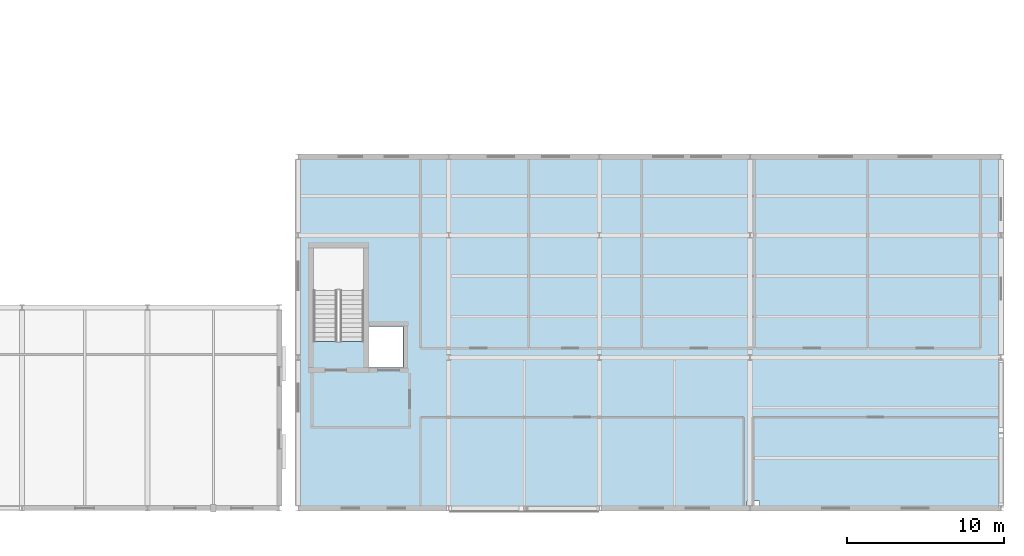
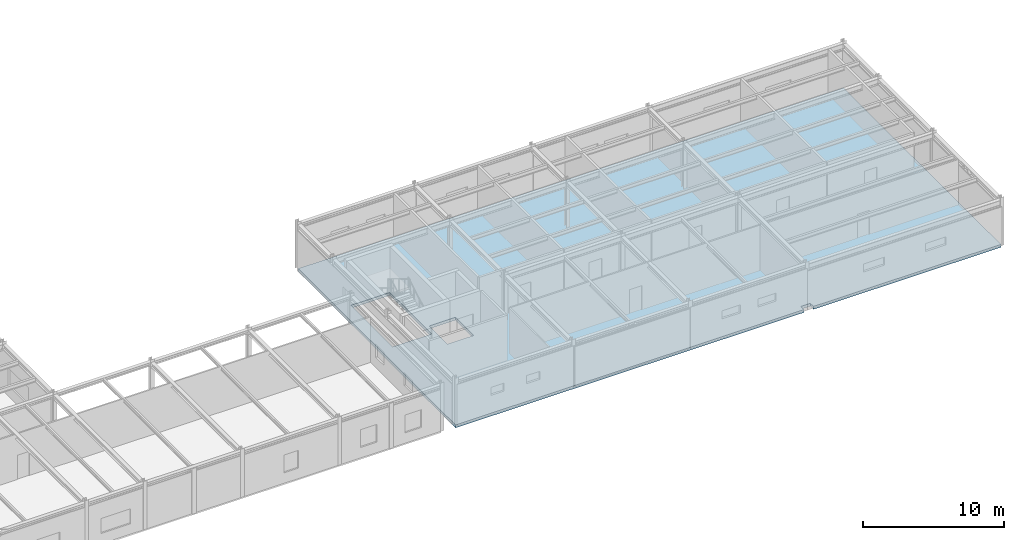
# One storey, part 72 of 99: 1 slab.
"""IFC4 building model written with IfcOpenShell, lengths in metres."""

from ifc_helpers import new_model, si_unit, direction, frame, origin, place, context, subcontext, project, spatial, polyline, outline, extrude, material, layer, layer_set, type_object, element, save


model = new_model("IFC4")

# Units and contexts
model_context = context("Model", 3, precision=1e-05, world=origin(), true_north=direction((0.0, 1.0)))
body_context = subcontext(model_context, "Body", "Model", "MODEL_VIEW")
ifc_project = project(units=[si_unit("LENGTHUNIT", "METRE"), si_unit("AREAUNIT", "SQUARE_METRE"), si_unit("VOLUMEUNIT", "CUBIC_METRE"), si_unit("PLANEANGLEUNIT", "RADIAN"), si_unit("MASSUNIT", "GRAM", prefix="KILO")], contexts=[model_context])

# Site, building, storey
site_placement = place(None, origin())
site = spatial("IfcSite", under=ifc_project, at=site_placement, CompositionType="ELEMENT")
building_placement = place(site_placement, origin())
building = spatial("IfcBuilding", under=site, at=building_placement, Name="Nordkorset Police Headquarters", CompositionType="ELEMENT")
storey_placement = place(building_placement, frame((0.0, 0.0, 5.25)))
storey = spatial("IfcBuildingStorey", under=building, at=storey_placement, Name="L01", CompositionType="ELEMENT", Elevation=5.25)

# Slab
ifc_material = material(Name="Concrete C35/45", Category="concrete")
ifc_layer = layer(ifc_material, 0.25, Name="Concrete C35/45")
ifc_layer_set = layer_set([ifc_layer], Name="Concrete C35/45")
slab_type = type_object("IfcSlabType", Name="Slab_Hall_250", PredefinedType="FLOOR", material=ifc_layer_set)
slab_placement = place(storey_placement, frame((0.0, 0.0, -0.25)))
element("IfcSlab", 1, at=slab_placement, inside=storey, type_object=slab_type, Name="Custody Wing Floor Slab V6 L01", PredefinedType="FLOOR", context=body_context, shape_type="SweptSolid", body=[
    extrude(outline(polyline([(171.199951171875, 22.39990234375), (171.199951171875, 0.0), (155.800048828125, 0.0), (155.800048828125, 0.449951171875), (155.0, 0.449951171875), (155.0, 0.0), (126.39990234375, 0.0), (126.39990234375, 22.39990234375), (171.199951171875, 22.39990234375)]), holes=[polyline([(127.375, 16.574951171875), (127.375, 10.6279296875), (130.574951171875, 10.6279296875), (130.574951171875, 16.574951171875), (127.375, 16.574951171875)]), polyline([(133.074951171875, 11.574951171875), (130.925048828125, 11.574951171875), (130.925048828125, 8.97509765625), (133.074951171875, 8.97509765625), (133.074951171875, 11.574951171875)])]), origin(), (0.0, 0.0, 1.0), 0.25),
])

save(model, "model.ifc")
